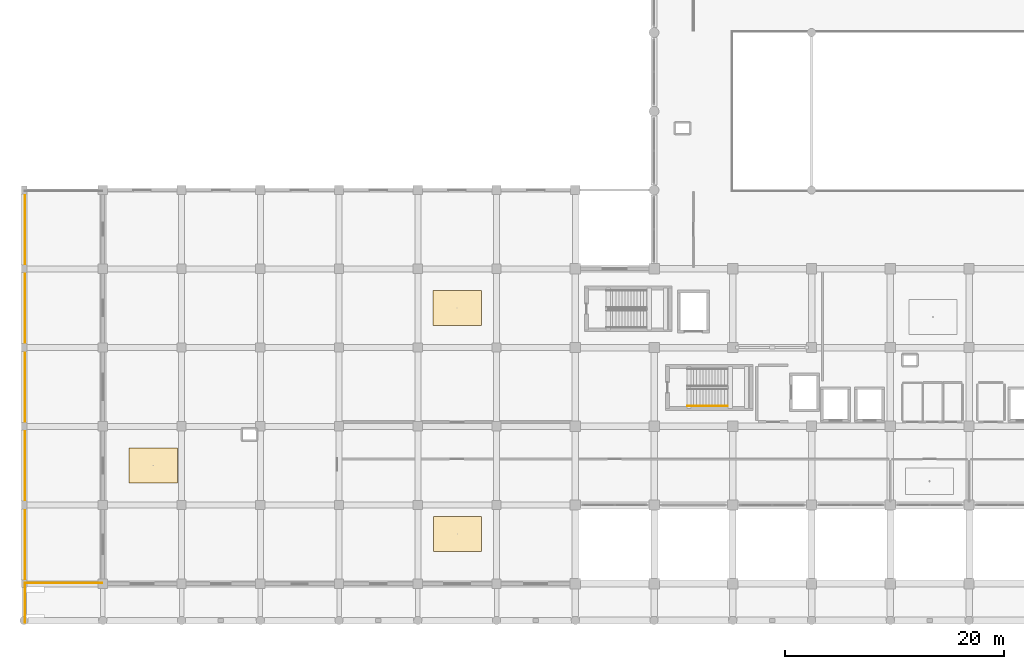
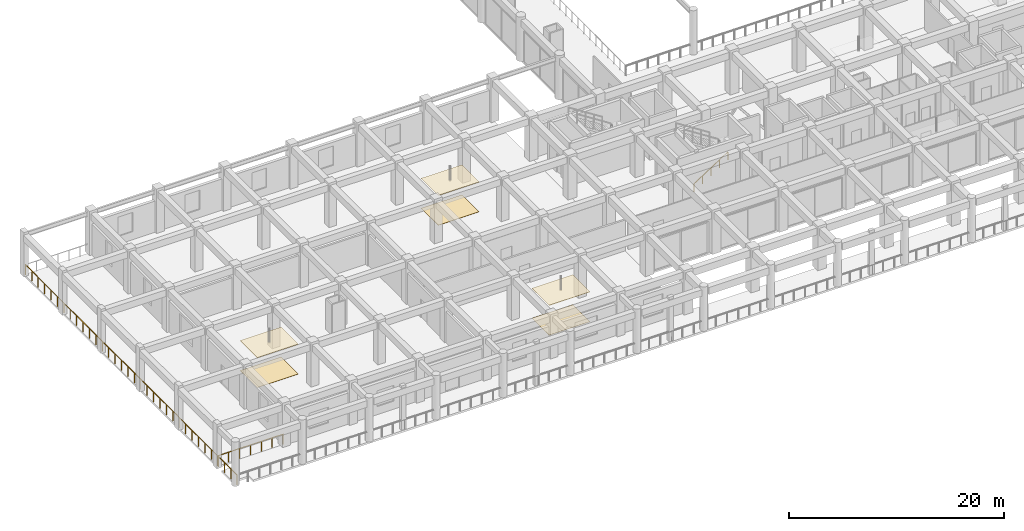
# One storey, part 47 of 54: 6 coverings, 4 railings.
"""IFC4 building model written with IfcOpenShell, lengths in metres."""

from ifc_helpers import new_model, si_unit, direction, frame, origin, origin_2d, place, context, subcontext, project, spatial, rectangle, circle, extrude, material, layer, layer_set, type_object, element, save


model = new_model("IFC4")

# Units and contexts
model_context = context("Model", 3, precision=1e-05, world=origin(), true_north=direction((0.0, 1.0)))
body_context = subcontext(model_context, "Body", "Model", "MODEL_VIEW")
ifc_project = project(units=[si_unit("LENGTHUNIT", "METRE"), si_unit("AREAUNIT", "SQUARE_METRE"), si_unit("VOLUMEUNIT", "CUBIC_METRE"), si_unit("PLANEANGLEUNIT", "RADIAN"), si_unit("MASSUNIT", "GRAM", prefix="KILO")], contexts=[model_context])

# Site, building, storey
site_placement = place(None, origin())
site = spatial("IfcSite", under=ifc_project, at=site_placement, CompositionType="ELEMENT")
building_placement = place(site_placement, origin())
building = spatial("IfcBuilding", under=site, at=building_placement, Name="Kazehaya Institute of Natural Sciences", CompositionType="ELEMENT")
storey_placement = place(building_placement, frame((0.0, 0.0, 5.39990234375)))
storey = spatial("IfcBuildingStorey", under=building, at=storey_placement, Name="L01", CompositionType="ELEMENT", Elevation=5.39990234375)

# Coverings
ifc_material_1 = material(Name="Cleanroom aluminium HEPA FFU ceiling grid", Category="aluminium")
ifc_layer_1 = layer(ifc_material_1, 0.044921875, Name="Cleanroom aluminium HEPA FFU ceiling grid", Category="aluminium")
ifc_layer_set_1 = layer_set([ifc_layer_1], Name="Cleanroom aluminium HEPA FFU ceiling grid")
covering_type_1 = type_object("IfcCoveringType", Name="COV-CEIL-FFU", PredefinedType="CEILING", material=ifc_layer_set_1)
for number, where, z_axis, x_axis, name in (
    (1, (16.008544921875, 17.602294921875, 3.377685546875), (0.0, 0.0, 1.0), (1.0, 0.0, 0.0), "L01 Clean Room ISO Class Six Suite ceiling 18"),
    (2, (43.820068359375, 11.372802734375, 3.377685546875), (0.0, 0.0, 1.0), (1.0, 0.0, 0.0), "L01 Clean Room Gowning and Metrology Suite ceiling 19"),
    (3, (43.800048828125, 32.0, 3.377685546875), (0.0, 0.0, 1.0), (1.0, 0.0, 0.0), "L01 Bio-Safety Clean Laboratory ceiling 20"),
):
    element("IfcCovering", number, at=place(storey_placement, frame(where, z_axis=z_axis, x_axis=x_axis)), inside=storey, type_object=covering_type_1, Name=name, PredefinedType="CEILING", context=body_context, shape_type="SweptSolid", body=[
        extrude(rectangle(XDim=4.39990234375, YDim=3.199951171875, at=origin_2d()), origin(), (0.0, 0.0, 1.0), 0.044921875),
    ])
ifc_material_2 = material(Name="Seamless chemical-resistant epoxy flooring")
ifc_layer_2 = layer(ifc_material_2, 0.014892578125, Name="Seamless chemical-resistant epoxy flooring")
ifc_layer_set_2 = layer_set([ifc_layer_2], Name="Seamless chemical-resistant epoxy flooring")
covering_type_2 = type_object("IfcCoveringType", Name="COV-FLR-EPX", PredefinedType="FLOORING", material=ifc_layer_set_2)
for number, where, z_axis, x_axis, name in (
    (4, (16.008544921875, 17.602294921875, 0.0), (0.0, 0.0, 1.0), (1.0, 0.0, 0.0), "L01 Clean Room ISO Class Six Suite finish flooring 18"),
    (5, (43.820068359375, 11.372802734375, 0.0), (0.0, 0.0, 1.0), (1.0, 0.0, 0.0), "L01 Clean Room Gowning and Metrology Suite finish flooring 19"),
    (6, (43.800048828125, 32.0, 0.0), (0.0, 0.0, 1.0), (1.0, 0.0, 0.0), "L01 Bio-Safety Clean Laboratory finish flooring 20"),
):
    element("IfcCovering", number, at=place(storey_placement, frame(where, z_axis=z_axis, x_axis=x_axis)), inside=storey, type_object=covering_type_2, Name=name, PredefinedType="FLOORING", context=body_context, shape_type="SweptSolid", body=[
        extrude(rectangle(XDim=4.39990234375, YDim=3.199951171875, at=origin_2d()), origin(), (0.0, 0.0, 1.0), 0.014892578125),
    ])

# Railings
ifc_material_3 = material(Name="Precast limestone and bronze balustrade", Category="masonry")
railing_type_1 = type_object("IfcRailingType", Name="RL-GUARD-TER", PredefinedType="BALUSTRADE", material=ifc_material_3)
railing_1_placement = place(storey_placement, frame((4.280029296875, 6.719970703125, 0.0)))
element("IfcRailing", 7, at=railing_1_placement, inside=storey, type_object=railing_type_1, Name="L01 terrace balustrade GRD-L01-002", PredefinedType="BALUSTRADE", context=body_context, shape_type="SweptSolid", body=[
    extrude(circle(Radius=0.02392578125, at=origin_2d()), frame((0.0, 0.0, 1.1259765625), z_axis=(0.0, -1.0, 0.0), x_axis=(1.0, 0.0, 0.0)), (0.0, 0.0, 1.0), 3.43994140625),
    extrude(circle(Radius=0.02099609375, at=origin_2d()), origin(), (0.0, 0.0, 1.0), 1.101806640625),
    extrude(circle(Radius=0.02099609375, at=origin_2d()), frame((0.0, -1.146728515625, 0.0)), (0.0, 0.0, 1.0), 1.101806640625),
    extrude(circle(Radius=0.02099609375, at=origin_2d()), frame((0.0, -2.293212890625, 0.0)), (0.0, 0.0, 1.0), 1.101806640625),
    extrude(circle(Radius=0.02099609375, at=origin_2d()), frame((0.0, -3.43994140625, 0.0)), (0.0, 0.0, 1.0), 1.101806640625),
])
railing_2_placement = place(storey_placement, frame((4.280029296875, 6.8798828125, 0.0)))
element("IfcRailing", 8, at=railing_2_placement, inside=storey, type_object=railing_type_1, Name="L01 terrace balustrade GRD-L01-004", PredefinedType="BALUSTRADE", context=body_context, shape_type="SweptSolid", body=[
    extrude(circle(Radius=0.02392578125, at=origin_2d()), frame((0.0, 0.0, 1.1259765625), z_axis=(1.0, 0.0, 0.0), x_axis=(0.0, 1.0, 0.0)), (0.0, 0.0, 1.0), 7.0400390625),
    extrude(circle(Radius=0.02099609375, at=origin_2d()), origin(), (0.0, 0.0, 1.0), 1.101806640625),
    extrude(circle(Radius=0.02099609375, at=origin_2d()), frame((1.17333984375, 0.0, 0.0)), (0.0, 0.0, 1.0), 1.101806640625),
    extrude(circle(Radius=0.02099609375, at=origin_2d()), frame((2.3466796875, 0.0, 0.0)), (0.0, 0.0, 1.0), 1.101806640625),
    extrude(circle(Radius=0.02099609375, at=origin_2d()), frame((3.52001953125, 0.0, 0.0)), (0.0, 0.0, 1.0), 1.101806640625),
    extrude(circle(Radius=0.02099609375, at=origin_2d()), frame((4.693359375, 0.0, 0.0)), (0.0, 0.0, 1.0), 1.101806640625),
    extrude(circle(Radius=0.02099609375, at=origin_2d()), frame((5.86669921875, 0.0, 0.0)), (0.0, 0.0, 1.0), 1.101806640625),
    extrude(circle(Radius=0.02099609375, at=origin_2d()), frame((7.0400390625, 0.0, 0.0)), (0.0, 0.0, 1.0), 1.101806640625),
])
railing_3_placement = place(storey_placement, frame((4.280029296875, 42.719970703125, 0.0)))
element("IfcRailing", 9, at=railing_3_placement, inside=storey, type_object=railing_type_1, Name="L01 terrace balustrade GRD-L01-006", PredefinedType="BALUSTRADE", context=body_context, shape_type="SweptSolid", body=[
    extrude(circle(Radius=0.02392578125, at=origin_2d()), frame((0.0, 0.0, 1.1259765625), z_axis=(0.0, -1.0, 0.0), x_axis=(1.0, 0.0, 0.0)), (0.0, 0.0, 1.0), 35.840087890625),
    extrude(circle(Radius=0.02099609375, at=origin_2d()), origin(), (0.0, 0.0, 1.0), 1.101806640625),
    extrude(circle(Radius=0.02099609375, at=origin_2d()), frame((0.0, -1.194580078125, 0.0)), (0.0, 0.0, 1.0), 1.101806640625),
    extrude(circle(Radius=0.02099609375, at=origin_2d()), frame((0.0, -2.389404296875, 0.0)), (0.0, 0.0, 1.0), 1.101806640625),
    extrude(circle(Radius=0.02099609375, at=origin_2d()), frame((0.0, -3.583984375, 0.0)), (0.0, 0.0, 1.0), 1.101806640625),
    extrude(circle(Radius=0.02099609375, at=origin_2d()), frame((0.0, -4.778564453125, 0.0)), (0.0, 0.0, 1.0), 1.101806640625),
    extrude(circle(Radius=0.02099609375, at=origin_2d()), frame((0.0, -5.973388671875, 0.0)), (0.0, 0.0, 1.0), 1.101806640625),
    extrude(circle(Radius=0.02099609375, at=origin_2d()), frame((0.0, -7.16796875, 0.0)), (0.0, 0.0, 1.0), 1.101806640625),
    extrude(circle(Radius=0.02099609375, at=origin_2d()), frame((0.0, -8.36279296875, 0.0)), (0.0, 0.0, 1.0), 1.101806640625),
    extrude(circle(Radius=0.02099609375, at=origin_2d()), frame((0.0, -9.557373046875, 0.0)), (0.0, 0.0, 1.0), 1.101806640625),
    extrude(circle(Radius=0.02099609375, at=origin_2d()), frame((0.0, -10.751953125, 0.0)), (0.0, 0.0, 1.0), 1.101806640625),
    extrude(circle(Radius=0.02099609375, at=origin_2d()), frame((0.0, -11.94677734375, 0.0)), (0.0, 0.0, 1.0), 1.101806640625),
    extrude(circle(Radius=0.02099609375, at=origin_2d()), frame((0.0, -13.141357421875, 0.0)), (0.0, 0.0, 1.0), 1.101806640625),
    extrude(circle(Radius=0.02099609375, at=origin_2d()), frame((0.0, -14.3359375, 0.0)), (0.0, 0.0, 1.0), 1.101806640625),
    extrude(circle(Radius=0.02099609375, at=origin_2d()), frame((0.0, -15.53076171875, 0.0)), (0.0, 0.0, 1.0), 1.101806640625),
    extrude(circle(Radius=0.02099609375, at=origin_2d()), frame((0.0, -16.725341796875, 0.0)), (0.0, 0.0, 1.0), 1.101806640625),
    extrude(circle(Radius=0.02099609375, at=origin_2d()), frame((0.0, -17.919921875, 0.0)), (0.0, 0.0, 1.0), 1.101806640625),
    extrude(circle(Radius=0.02099609375, at=origin_2d()), frame((0.0, -19.11474609375, 0.0)), (0.0, 0.0, 1.0), 1.101806640625),
    extrude(circle(Radius=0.02099609375, at=origin_2d()), frame((0.0, -20.309326171875, 0.0)), (0.0, 0.0, 1.0), 1.101806640625),
    extrude(circle(Radius=0.02099609375, at=origin_2d()), frame((0.0, -21.504150390625, 0.0)), (0.0, 0.0, 1.0), 1.101806640625),
    extrude(circle(Radius=0.02099609375, at=origin_2d()), frame((0.0, -22.69873046875, 0.0)), (0.0, 0.0, 1.0), 1.101806640625),
    extrude(circle(Radius=0.02099609375, at=origin_2d()), frame((0.0, -23.893310546875, 0.0)), (0.0, 0.0, 1.0), 1.101806640625),
    extrude(circle(Radius=0.02099609375, at=origin_2d()), frame((0.0, -25.088134765625, 0.0)), (0.0, 0.0, 1.0), 1.101806640625),
    extrude(circle(Radius=0.02099609375, at=origin_2d()), frame((0.0, -26.28271484375, 0.0)), (0.0, 0.0, 1.0), 1.101806640625),
    extrude(circle(Radius=0.02099609375, at=origin_2d()), frame((0.0, -27.477294921875, 0.0)), (0.0, 0.0, 1.0), 1.101806640625),
    extrude(circle(Radius=0.02099609375, at=origin_2d()), frame((0.0, -28.672119140625, 0.0)), (0.0, 0.0, 1.0), 1.101806640625),
    extrude(circle(Radius=0.02099609375, at=origin_2d()), frame((0.0, -29.86669921875, 0.0)), (0.0, 0.0, 1.0), 1.101806640625),
    extrude(circle(Radius=0.02099609375, at=origin_2d()), frame((0.0, -31.0615234375, 0.0)), (0.0, 0.0, 1.0), 1.101806640625),
    extrude(circle(Radius=0.02099609375, at=origin_2d()), frame((0.0, -32.256103515625, 0.0)), (0.0, 0.0, 1.0), 1.101806640625),
    extrude(circle(Radius=0.02099609375, at=origin_2d()), frame((0.0, -33.45068359375, 0.0)), (0.0, 0.0, 1.0), 1.101806640625),
    extrude(circle(Radius=0.02099609375, at=origin_2d()), frame((0.0, -34.6455078125, 0.0)), (0.0, 0.0, 1.0), 1.101806640625),
    extrude(circle(Radius=0.02099609375, at=origin_2d()), frame((0.0, -35.840087890625, 0.0)), (0.0, 0.0, 1.0), 1.101806640625),
])
ifc_material_4 = material(Name="Brushed stainless steel handrail", Category="steel")
railing_type_2 = type_object("IfcRailingType", Name="RL-STAIR-HND", PredefinedType="HANDRAIL", material=ifc_material_4)
railing_4_placement = place(storey_placement, frame((64.860107421875, 23.050048828125, 0.18017578125)))
element("IfcRailing", 10, at=railing_4_placement, inside=storey, type_object=railing_type_2, Name="L01 ST-1 stair handrail 1", PredefinedType="HANDRAIL", context=body_context, shape_type="SweptSolid", body=[
    extrude(circle(Radius=0.02392578125, at=origin_2d()), frame((0.0, 0.0, 0.8759765625), z_axis=(0.841187641198, 0.0, 0.540743333104), x_axis=(0.0, 1.0, 0.0)), (0.0, 0.0, 1.0), 4.3271484375),
    extrude(circle(Radius=0.02099609375, at=origin_2d()), origin(), (0.0, 0.0, 1.0), 0.851806640625),
    extrude(circle(Radius=0.02099609375, at=origin_2d()), frame((0.909912109375, 0.0, 0.5849609375)), (0.0, 0.0, 1.0), 0.851806640625),
    extrude(circle(Radius=0.02099609375, at=origin_2d()), frame((1.81982421875, 0.0, 1.169921875)), (0.0, 0.0, 1.0), 0.851806640625),
    extrude(circle(Radius=0.02099609375, at=origin_2d()), frame((2.72998046875, 0.0, 1.7548828125)), (0.0, 0.0, 1.0), 0.851806640625),
    extrude(circle(Radius=0.02099609375, at=origin_2d()), frame((3.639892578125, 0.0, 2.33984375)), (0.0, 0.0, 1.0), 0.851806640625),
])

save(model, "model.ifc")
